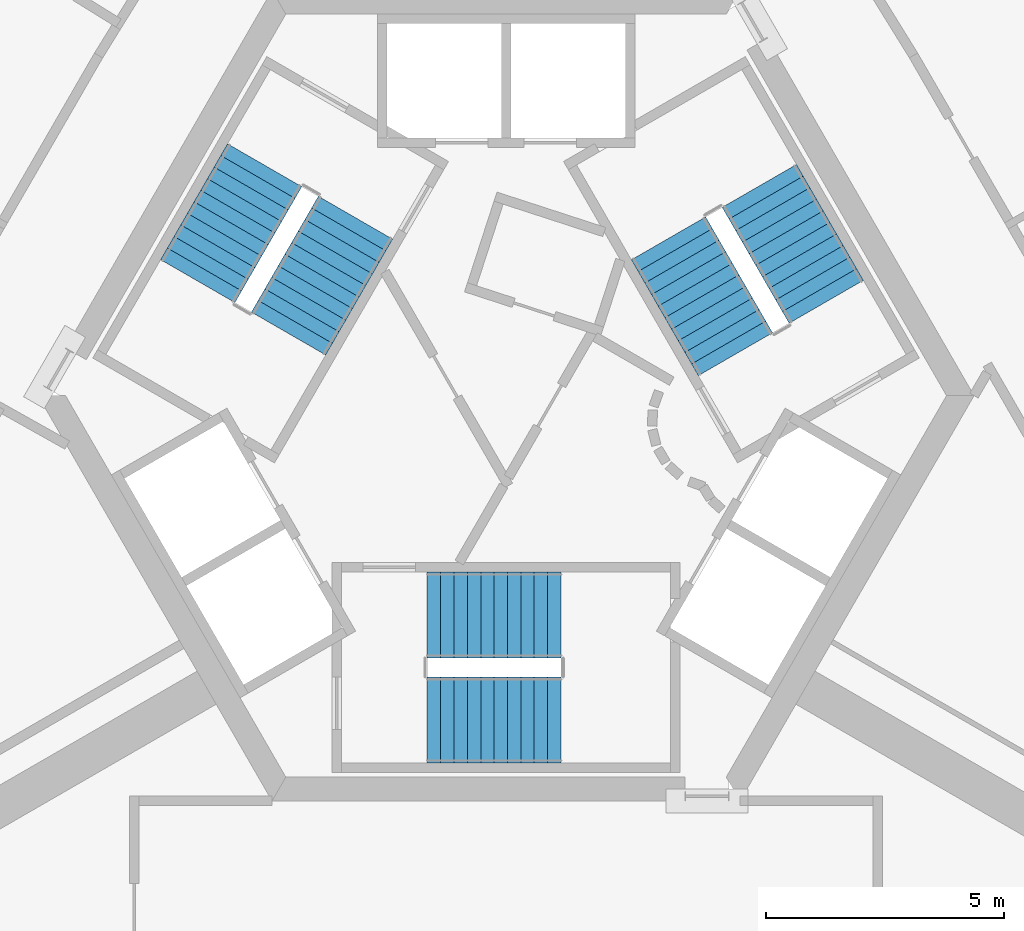
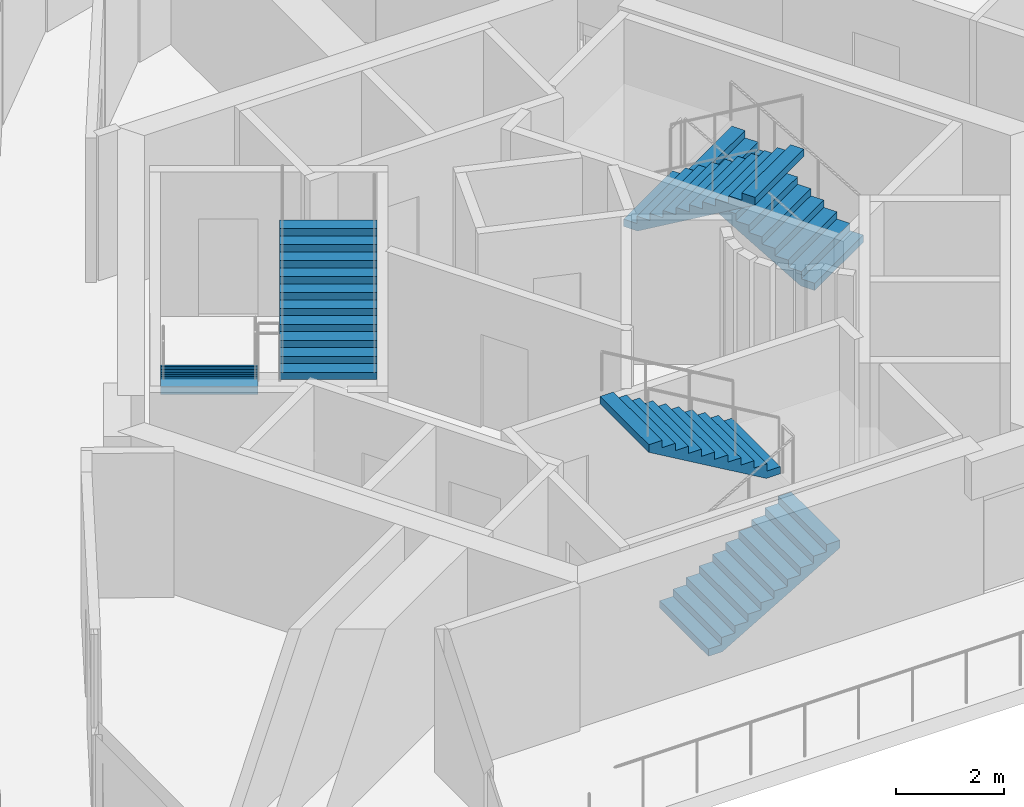
# One storey, part 9 of 10: 6 stair flights, 3 elements without a shape of their own.
"""IFC4 building model written with IfcOpenShell, lengths in metres."""

import ifcopenshell
import ifcopenshell.guid

model = None  # the IFC model being written
_history = None  # IfcOwnerHistory: only IFC2X3 demands one
_inside = {}  # id of a spatial element -> (the spatial element, [elements in it])
_under = {}  # id of a project, library or spatial element -> (it, [spatial elements below it])
_declared = {}  # id of a project -> (the project, [libraries it declares])
_typed = {}  # id of a type object -> (the type object, [elements of that type])
_made_of = {}  # id of a material, layer set ... -> (it, [elements and type objects made of it])


def new_model(schema):
    """Start an empty IFC model of exactly this schema.

    Asked for "IFC4X3", IfcOpenShell would pick the latest addendum, in which some entities
    have other attributes; the version numbers below select the first issue.
    IFC2X3 requires an IfcOwnerHistory on every rooted entity: one is made here for all.
    """
    global model, _history
    if schema == "IFC4X3":
        model = ifcopenshell.file(schema_version=(4, 3, 0, 0))
    else:
        model = ifcopenshell.file(schema=schema)
    _inside.clear()
    _under.clear()
    _declared.clear()
    _typed.clear()
    _made_of.clear()
    _history = None
    if model.schema == "IFC2X3":
        org = make("IfcOrganization", Name="unknown")
        user = make(
            "IfcPersonAndOrganization",
            ThePerson=make("IfcPerson", FamilyName="unknown"),
            TheOrganization=org,
        )
        app = make(
            "IfcApplication",
            ApplicationDeveloper=org,
            Version="unknown",
            ApplicationFullName="unknown",
            ApplicationIdentifier="unknown",
        )
        _history = make(
            "IfcOwnerHistory",
            OwningUser=user,
            OwningApplication=app,
            ChangeAction="ADDED",
            CreationDate=0,
        )
    return model


def make(cls, **values):
    """One entity of the class cls with the attributes given. An attribute that is None is left unset."""
    return model.create_entity(
        cls, **{name: value for name, value in values.items() if value is not None}
    )


def rooted(cls, **values):
    """An entity with a GlobalId (a new one), such as an element, a storey or a relation."""
    return make(cls, GlobalId=ifcopenshell.guid.new(), OwnerHistory=_history, **values)


def si_unit(unit_type, name, prefix=None):
    """IfcSIUnit, for example si_unit("LENGTHUNIT", "METRE", prefix="MILLI")."""
    return make("IfcSIUnit", UnitType=unit_type, Prefix=prefix, Name=name)


def assignment(units):
    """IfcUnitAssignment: the units of a project."""
    return None if units is None else make("IfcUnitAssignment", Units=units)


def point(xyz):
    """IfcCartesianPoint."""
    return None if xyz is None else make("IfcCartesianPoint", Coordinates=xyz)


def direction(xyz):
    """IfcDirection."""
    return None if xyz is None else make("IfcDirection", DirectionRatios=xyz)


def frame(location, z_axis=None, x_axis=None):
    """IfcAxis2Placement3D, a coordinate frame: its origin and axes. An axis left out is left unset."""
    return make(
        "IfcAxis2Placement3D",
        Location=point(location),
        Axis=direction(z_axis),
        RefDirection=direction(x_axis),
    )


def origin():
    """The frame at (0, 0, 0) with its axes left unset."""
    return frame((0.0, 0.0, 0.0))


def place(relative_to, where):
    """IfcLocalPlacement: puts the frame where relative to a parent placement (None: the world)."""
    return make(
        "IfcLocalPlacement", PlacementRelTo=relative_to, RelativePlacement=where
    )


def context(
    kind, dimensions, precision=None, world=None, true_north=None, identifier=None
):
    """IfcGeometricRepresentationContext, for example the 3D "Model" context."""
    return make(
        "IfcGeometricRepresentationContext",
        ContextIdentifier=identifier,
        ContextType=kind,
        CoordinateSpaceDimension=dimensions,
        Precision=precision,
        WorldCoordinateSystem=world,
        TrueNorth=true_north,
    )


def subcontext(parent, identifier, kind, view, scale=None):
    """IfcGeometricRepresentationSubContext, for example "Body" below "Model"."""
    return make(
        "IfcGeometricRepresentationSubContext",
        ContextIdentifier=identifier,
        ContextType=kind,
        ParentContext=parent,
        TargetScale=scale,
        TargetView=view,
    )


def project(units=None, contexts=None):
    """IfcProject with its units and contexts."""
    return rooted(
        "IfcProject",
        Name="project",
        RepresentationContexts=contexts,
        UnitsInContext=assignment(units),
    )


def spatial(cls, under=None, at=None, **own):
    """A site, building, storey or space (cls), placed at a placement, below another one or the project."""
    s = rooted(cls, ObjectPlacement=at, **own)
    if under is not None:
        _under.setdefault(under.id(), (under, []))[1].append(s)
    return s


def polyline(points):
    """IfcPolyline through the points."""
    return make("IfcPolyline", Points=[point(p) for p in points])


def outline(outer, holes=None, kind="AREA"):
    """IfcArbitraryClosedProfileDef: a profile drawn as a closed curve; with holes, ...WithVoids."""
    if holes is None:
        return make("IfcArbitraryClosedProfileDef", ProfileType=kind, OuterCurve=outer)
    return make(
        "IfcArbitraryProfileDefWithVoids",
        ProfileType=kind,
        OuterCurve=outer,
        InnerCurves=holes,
    )


def extrude(swept, where, along, depth):
    """IfcExtrudedAreaSolid: the profile swept, set in the frame where, extruded along a direction by depth."""
    return make(
        "IfcExtrudedAreaSolid",
        SweptArea=swept,
        Position=where,
        ExtrudedDirection=direction(along),
        Depth=depth,
    )


def shape(context_of_items, identifier, shape_type, items):
    """IfcShapeRepresentation: the items that make up one representation, for example the "Body"."""
    return make(
        "IfcShapeRepresentation",
        ContextOfItems=context_of_items,
        RepresentationIdentifier=identifier,
        RepresentationType=shape_type,
        Items=items,
    )


def material(Name=None, Category=None):
    """IfcMaterial."""
    return make("IfcMaterial", Name=Name, Category=Category)


def made_of(thing, what):
    """Note that an element or type object is made of a material, layer set ...; save() writes the relation."""
    if what is not None:
        _made_of.setdefault(what.id(), (what, []))[1].append(thing)
    return thing


def type_object(cls, material=None, **own):
    """A type object (cls), such as IfcWallType, which elements share."""
    return made_of(rooted(cls, **own), material)


def element(
    cls,
    number,
    at=None,
    inside=None,
    cuts=None,
    type_object=None,
    material=None,
    context=None,
    identifier="Body",
    shape_type=None,
    held_by="IfcProductDefinitionShape",
    body=None,
    shapes=None,
    **own,
):
    """One element of the class cls, such as IfcWall. Its Tag is "e" and its number.

    at: its placement. inside: the storey or other place that contains it. cuts: it is an
    opening in that element (IfcRelVoidsElement). A single representation is given by context,
    identifier, shape_type and body (its items); several are given by shapes. held_by: the class
    of the entity that holds the representations. save() writes the other relations.
    """
    e = rooted(cls, Tag="e%d" % number, ObjectPlacement=at, **own)
    if body is not None:
        shapes = [shape(context, identifier, shape_type, body)]
    if shapes is not None:
        e.Representation = make(held_by, Representations=shapes)
    if inside is not None:
        _inside.setdefault(inside.id(), (inside, []))[1].append(e)
    if cuts is not None:
        rooted(
            "IfcRelVoidsElement", RelatingBuildingElement=cuts, RelatedOpeningElement=e
        )
    if type_object is not None:
        _typed.setdefault(type_object.id(), (type_object, []))[1].append(e)
    return made_of(e, material)


def aggregate(whole, parts):
    """IfcRelAggregates: a whole, such as a stair, and the parts it consists of."""
    return rooted("IfcRelAggregates", RelatingObject=whole, RelatedObjects=parts)


def save(model, path):
    """Write the relations noted so far, then the file.

    IfcRelAggregates (storeys below a building ...), IfcRelContainedInSpatialStructure (elements
    in a storey), IfcRelDefinesByType, IfcRelAssociatesMaterial and IfcRelDeclares: one each for
    every whole, place, type object, material and project.
    """
    for whole, parts in _under.values():
        aggregate(whole, parts)
    for where, things in _inside.values():
        rooted(
            "IfcRelContainedInSpatialStructure",
            RelatedElements=things,
            RelatingStructure=where,
        )
    for kind, things in _typed.values():
        rooted("IfcRelDefinesByType", RelatedObjects=things, RelatingType=kind)
    for what, things in _made_of.values():
        rooted("IfcRelAssociatesMaterial", RelatedObjects=things, RelatingMaterial=what)
    for by, libraries in _declared.values():
        rooted("IfcRelDeclares", RelatingContext=by, RelatedDefinitions=libraries)
    model.write(path)


model = new_model("IFC4")

# Units and contexts
model_context = context("Model", 3, precision=1e-05, world=origin(), true_north=direction((0.0, 1.0)))
body_context = subcontext(model_context, "Body", "Model", "MODEL_VIEW")
ifc_project = project(units=[si_unit("LENGTHUNIT", "METRE"), si_unit("AREAUNIT", "SQUARE_METRE"), si_unit("VOLUMEUNIT", "CUBIC_METRE"), si_unit("PLANEANGLEUNIT", "RADIAN"), si_unit("MASSUNIT", "GRAM", prefix="KILO")], contexts=[model_context])

# Site, building, storey
site_placement = place(None, origin())
site = spatial("IfcSite", under=ifc_project, at=site_placement, CompositionType="ELEMENT")
building_placement = place(site_placement, origin())
building = spatial("IfcBuilding", under=site, at=building_placement, Name="Entoto Arch Interchange Tower", CompositionType="ELEMENT")
storey_placement = place(building_placement, frame((0.0, 0.0, 300.800048828125)))
storey = spatial("IfcBuildingStorey", under=building, at=storey_placement, Name="L70", CompositionType="ELEMENT", Elevation=300.800048828125)

# Stair, stair flights
ifc_material = material(Name="Concrete C40/50", Category="concrete")
stair_type = type_object("IfcStairType", Name="EXIT STAIR RC 1800", PredefinedType="HALF_TURN_STAIR", material=ifc_material)
stair_1_placement = place(storey_placement, origin())
stair_1 = element("IfcStair", 1, at=stair_1_placement, inside=storey, type_object=stair_type, Name="L70 Exit stair S", PredefinedType="HALF_TURN_STAIR")
stair_flight_type = type_object("IfcStairFlightType", Name="EXIT STAIR FLIGHT RC 1800", PredefinedType="STRAIGHT", material=ifc_material)
stair_flight_1_placement = place(storey_placement, frame((-1.64990234375, -4.300048828125, 0.0), z_axis=(0.0, 0.0, 1.0), x_axis=(1.0, 0.0, 0.0)))
stair_flight_1 = element("IfcStairFlight", 2, at=stair_flight_1_placement, type_object=stair_flight_type, Name="ST-S flight 1", NumberOfRisers=11, NumberOfTreads=10, PredefinedType="STRAIGHT", RiserHeight=0.163636364, TreadLength=0.28, context=body_context, shape_type="SweptSolid", body=[
    extrude(outline(polyline([(-0.0029296875, 0.0), (-0.0029296875, 0.16357421875), (0.280029296875, 0.16357421875), (0.280029296875, 0.327392578125), (0.56005859375, 0.327392578125), (0.56005859375, 0.490966796875), (0.840087890625, 0.490966796875), (0.840087890625, 0.654541015625), (1.1201171875, 0.654541015625), (1.1201171875, 0.818115234375), (1.39990234375, 0.818115234375), (1.39990234375, 0.98193359375), (1.679931640625, 0.98193359375), (1.679931640625, 1.1455078125), (1.9599609375, 1.1455078125), (1.9599609375, 1.30908203125), (2.239990234375, 1.30908203125), (2.239990234375, 1.47265625), (2.52001953125, 1.47265625), (2.52001953125, 1.636474609375), (2.800048828125, 1.636474609375), (2.802978515625, 1.636474609375), (2.802978515625, 1.464599609375), (0.297119140625, 0.0), (-0.0029296875, 0.0)])), frame((0.0, 0.89990234375, 0.0), z_axis=(0.0, -1.0, 0.0), x_axis=(1.0, 0.0, 0.0)), (0.0, 0.0, 1.0), 1.800048828125),
])
stair_flight_2_placement = place(storey_placement, frame((1.14990234375, -2.10009765625, 1.800048828125), z_axis=(0.0, 0.0, 1.0), x_axis=(-1.0, 0.0, 0.0)))
stair_flight_2 = element("IfcStairFlight", 3, at=stair_flight_2_placement, type_object=stair_flight_type, Name="ST-S flight 2", NumberOfRisers=11, NumberOfTreads=10, PredefinedType="STRAIGHT", RiserHeight=0.163636364, TreadLength=0.28, context=body_context, shape_type="SweptSolid", body=[
    extrude(outline(polyline([(-0.0029296875, 0.0), (-0.0029296875, 0.16357421875), (0.280029296875, 0.16357421875), (0.280029296875, 0.327392578125), (0.56005859375, 0.327392578125), (0.56005859375, 0.490966796875), (0.840087890625, 0.490966796875), (0.840087890625, 0.654541015625), (1.1201171875, 0.654541015625), (1.1201171875, 0.818115234375), (1.39990234375, 0.818115234375), (1.39990234375, 0.98193359375), (1.679931640625, 0.98193359375), (1.679931640625, 1.1455078125), (1.9599609375, 1.1455078125), (1.9599609375, 1.30908203125), (2.239990234375, 1.30908203125), (2.239990234375, 1.47265625), (2.52001953125, 1.47265625), (2.52001953125, 1.636474609375), (2.800048828125, 1.636474609375), (2.802978515625, 1.636474609375), (2.802978515625, 1.464599609375), (0.297119140625, 0.0), (-0.0029296875, 0.0)])), frame((0.0, 0.89990234375, 0.0), z_axis=(0.0, -1.0, 0.0), x_axis=(1.0, 0.0, 0.0)), (0.0, 0.0, 1.0), 1.800048828125),
])
aggregate(stair_1, [stair_flight_1, stair_flight_2])

stair_2_placement = place(storey_placement, origin())
stair_2 = element("IfcStair", 4, at=stair_2_placement, inside=storey, type_object=stair_type, Name="L70 Exit stair NE", PredefinedType="HALF_TURN_STAIR")
stair_flight_3_placement = place(storey_placement, frame((6.7138671875, 4.470947265625, 0.0), z_axis=(0.0, 0.0, 1.0), x_axis=(-0.5, 0.866025403784, 0.0)))
stair_flight_3 = element("IfcStairFlight", 5, at=stair_flight_3_placement, type_object=stair_flight_type, Name="ST-NE flight 1", NumberOfRisers=11, NumberOfTreads=10, PredefinedType="STRAIGHT", RiserHeight=0.163636364, TreadLength=0.28, context=body_context, shape_type="SweptSolid", body=[
    extrude(outline(polyline([(-0.0029296875, 0.0), (-0.0029296875, 0.16357421875), (0.280029296875, 0.16357421875), (0.280029296875, 0.327392578125), (0.56005859375, 0.327392578125), (0.56005859375, 0.490966796875), (0.840087890625, 0.490966796875), (0.840087890625, 0.654541015625), (1.1201171875, 0.654541015625), (1.1201171875, 0.818115234375), (1.39990234375, 0.818115234375), (1.39990234375, 0.98193359375), (1.679931640625, 0.98193359375), (1.679931640625, 1.1455078125), (1.9599609375, 1.1455078125), (1.9599609375, 1.30908203125), (2.239990234375, 1.30908203125), (2.239990234375, 1.47265625), (2.52001953125, 1.47265625), (2.52001953125, 1.636474609375), (2.800048828125, 1.636474609375), (2.802978515625, 1.636474609375), (2.802978515625, 1.464599609375), (0.297119140625, 0.0), (-0.0029296875, 0.0)])), frame((0.0, 0.89990234375, 0.0), z_axis=(0.0, -1.0, 0.0), x_axis=(1.0, 0.0, 0.0)), (0.0, 0.0, 1.0), 1.800048828125),
])
stair_flight_4_placement = place(storey_placement, frame((3.40869140625, 5.7958984375, 1.800048828125), z_axis=(0.0, 0.0, 1.0), x_axis=(0.5, -0.866025403784, 0.0)))
stair_flight_4 = element("IfcStairFlight", 6, at=stair_flight_4_placement, type_object=stair_flight_type, Name="ST-NE flight 2", NumberOfRisers=11, NumberOfTreads=10, PredefinedType="STRAIGHT", RiserHeight=0.163636364, TreadLength=0.28, context=body_context, shape_type="SweptSolid", body=[
    extrude(outline(polyline([(-0.0029296875, 0.0), (-0.0029296875, 0.16357421875), (0.280029296875, 0.16357421875), (0.280029296875, 0.327392578125), (0.56005859375, 0.327392578125), (0.56005859375, 0.490966796875), (0.840087890625, 0.490966796875), (0.840087890625, 0.654541015625), (1.1201171875, 0.654541015625), (1.1201171875, 0.818115234375), (1.39990234375, 0.818115234375), (1.39990234375, 0.98193359375), (1.679931640625, 0.98193359375), (1.679931640625, 1.1455078125), (1.9599609375, 1.1455078125), (1.9599609375, 1.30908203125), (2.239990234375, 1.30908203125), (2.239990234375, 1.47265625), (2.52001953125, 1.47265625), (2.52001953125, 1.636474609375), (2.800048828125, 1.636474609375), (2.802978515625, 1.636474609375), (2.802978515625, 1.464599609375), (0.297119140625, 0.0), (-0.0029296875, 0.0)])), frame((0.0, 0.89990234375, 0.0), z_axis=(0.0, -1.0, 0.0), x_axis=(1.0, 0.0, 0.0)), (0.0, 0.0, 1.0), 1.800048828125),
])
aggregate(stair_2, [stair_flight_3, stair_flight_4])

stair_3_placement = place(storey_placement, origin())
stair_3 = element("IfcStair", 7, at=stair_3_placement, inside=storey, type_object=stair_type, Name="L70 Exit stair NW", PredefinedType="HALF_TURN_STAIR")
stair_flight_5_placement = place(storey_placement, frame((-5.06396484375, 7.328857421875, 0.0), z_axis=(0.0, 0.0, 1.0), x_axis=(-0.5, -0.866025403784, 0.0)))
stair_flight_5 = element("IfcStairFlight", 8, at=stair_flight_5_placement, type_object=stair_flight_type, Name="ST-NW flight 1", NumberOfRisers=11, NumberOfTreads=10, PredefinedType="STRAIGHT", RiserHeight=0.163636364, TreadLength=0.28, context=body_context, shape_type="SweptSolid", body=[
    extrude(outline(polyline([(-0.0029296875, 0.0), (-0.0029296875, 0.16357421875), (0.280029296875, 0.16357421875), (0.280029296875, 0.327392578125), (0.56005859375, 0.327392578125), (0.56005859375, 0.490966796875), (0.840087890625, 0.490966796875), (0.840087890625, 0.654541015625), (1.1201171875, 0.654541015625), (1.1201171875, 0.818115234375), (1.39990234375, 0.818115234375), (1.39990234375, 0.98193359375), (1.679931640625, 0.98193359375), (1.679931640625, 1.1455078125), (1.9599609375, 1.1455078125), (1.9599609375, 1.30908203125), (2.239990234375, 1.30908203125), (2.239990234375, 1.47265625), (2.52001953125, 1.47265625), (2.52001953125, 1.636474609375), (2.800048828125, 1.636474609375), (2.802978515625, 1.636474609375), (2.802978515625, 1.464599609375), (0.297119140625, 0.0), (-0.0029296875, 0.0)])), frame((0.0, 0.89990234375, 0.0), z_axis=(0.0, -1.0, 0.0), x_axis=(1.0, 0.0, 0.0)), (0.0, 0.0, 1.0), 1.800048828125),
])
stair_flight_6_placement = place(storey_placement, frame((-4.558837890625, 3.803955078125, 1.800048828125), z_axis=(0.0, 0.0, 1.0), x_axis=(0.5, 0.866025403784, 0.0)))
stair_flight_6 = element("IfcStairFlight", 9, at=stair_flight_6_placement, type_object=stair_flight_type, Name="ST-NW flight 2", NumberOfRisers=11, NumberOfTreads=10, PredefinedType="STRAIGHT", RiserHeight=0.163636364, TreadLength=0.28, context=body_context, shape_type="SweptSolid", body=[
    extrude(outline(polyline([(-0.0029296875, 0.0), (-0.0029296875, 0.16357421875), (0.280029296875, 0.16357421875), (0.280029296875, 0.327392578125), (0.56005859375, 0.327392578125), (0.56005859375, 0.490966796875), (0.840087890625, 0.490966796875), (0.840087890625, 0.654541015625), (1.1201171875, 0.654541015625), (1.1201171875, 0.818115234375), (1.39990234375, 0.818115234375), (1.39990234375, 0.98193359375), (1.679931640625, 0.98193359375), (1.679931640625, 1.1455078125), (1.9599609375, 1.1455078125), (1.9599609375, 1.30908203125), (2.239990234375, 1.30908203125), (2.239990234375, 1.47265625), (2.52001953125, 1.47265625), (2.52001953125, 1.636474609375), (2.800048828125, 1.636474609375), (2.802978515625, 1.636474609375), (2.802978515625, 1.464599609375), (0.297119140625, 0.0), (-0.0029296875, 0.0)])), frame((0.0, 0.89990234375, 0.0), z_axis=(0.0, -1.0, 0.0), x_axis=(1.0, 0.0, 0.0)), (0.0, 0.0, 1.0), 1.800048828125),
])
aggregate(stair_3, [stair_flight_5, stair_flight_6])

save(model, "model.ifc")
